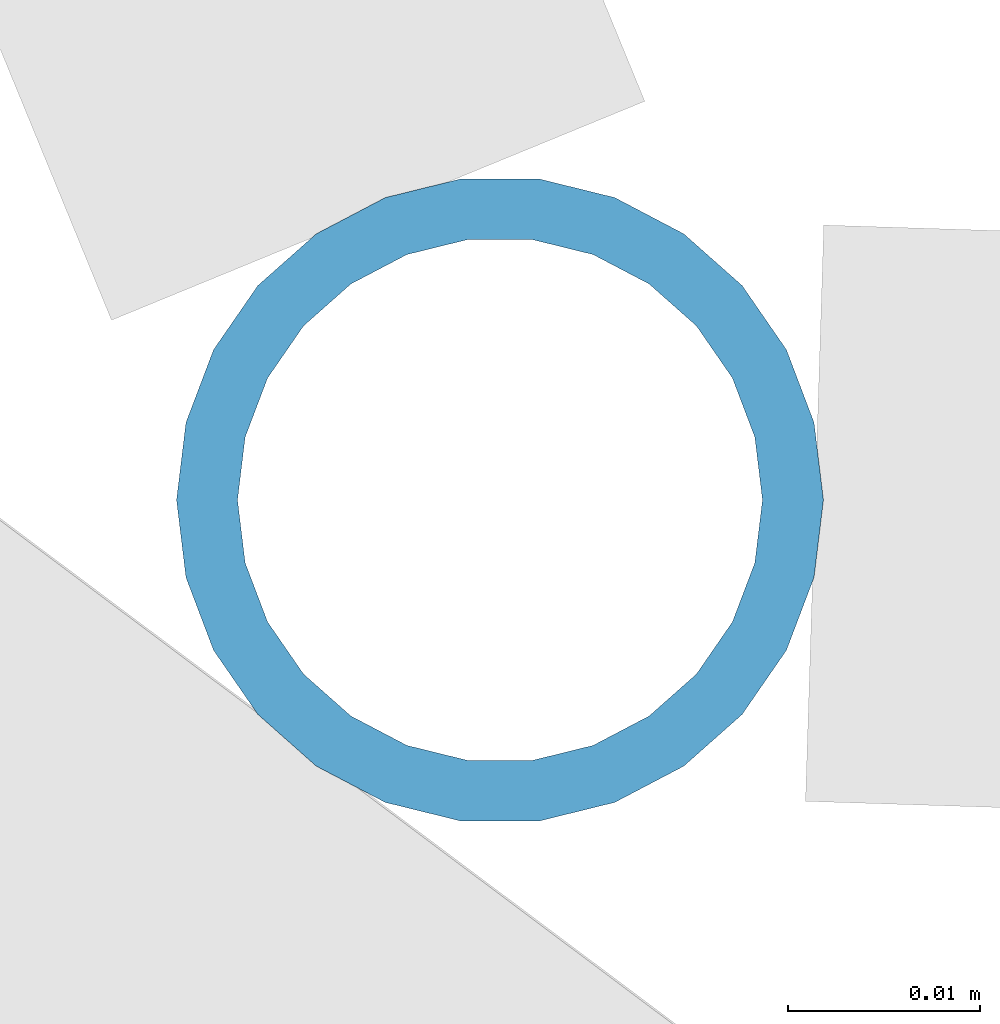
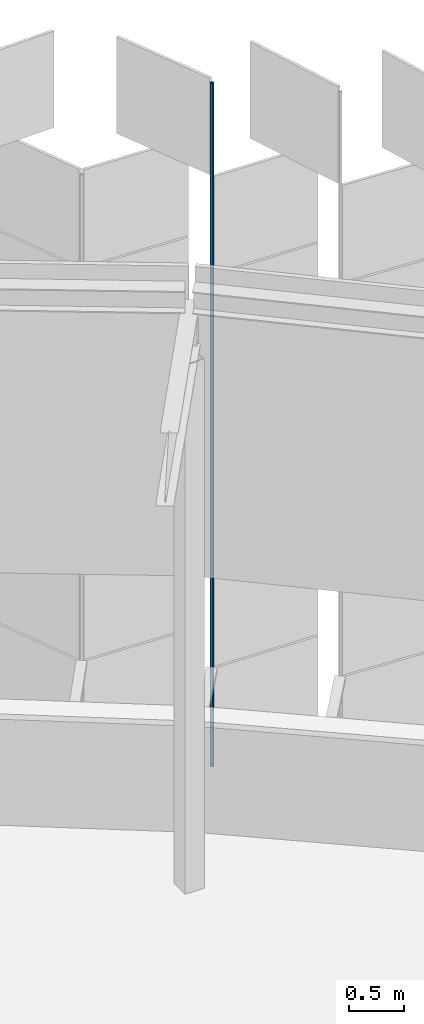
# One storey, part 412 of 483: 1 discrete accessory.
"""IFC4 building model written with IfcOpenShell, lengths in metres."""

from ifc_helpers import new_model, si_unit, direction, frame, origin, origin_2d, place, context, subcontext, project, spatial, hollow_circle, extrude, material, material_profile, profile_set, type_object, element, save


model = new_model("IFC4")

# Units and contexts
model_context = context("Model", 3, precision=1e-05, world=origin(), true_north=direction((0.0, 1.0)))
body_context = subcontext(model_context, "Body", "Model", "MODEL_VIEW")
ifc_project = project(units=[si_unit("LENGTHUNIT", "METRE"), si_unit("AREAUNIT", "SQUARE_METRE"), si_unit("VOLUMEUNIT", "CUBIC_METRE"), si_unit("PLANEANGLEUNIT", "RADIAN"), si_unit("MASSUNIT", "GRAM", prefix="KILO")], contexts=[model_context])

# Site, building, storey
site_placement = place(None, origin())
site = spatial("IfcSite", under=ifc_project, at=site_placement, CompositionType="ELEMENT")
building_placement = place(site_placement, origin())
building = spatial("IfcBuilding", under=site, at=building_placement, Name="Parallax Yard Mobility Hub", CompositionType="ELEMENT")
storey_placement = place(building_placement, frame((0.0, 0.0, 13.199951171875)))
storey = spatial("IfcBuildingStorey", under=building, at=storey_placement, Name="L04", CompositionType="ELEMENT", Elevation=13.199951171875)

# Discrete accessory
ifc_material = material(Name="Steel ASTM A500 Gr C, hot-dip galvanised", Category="steel")
ifc_material_profile = material_profile(ifc_material, hollow_circle(Radius=0.016845703125, WallThickness=0.003173828125, at=origin_2d()), Name="CHS 33.7x3.2")
ifc_profile_set = profile_set([ifc_material_profile], Name="Steel ASTM A500 Gr C, hot-dip galvanised")
discrete_accessory_type = type_object("IfcDiscreteAccessoryType", Name="Hinge post CHS 33.7x3.2", PredefinedType="BRACKET", material=ifc_profile_set)
discrete_accessory_placement = place(storey_placement, frame((203.84912109375, 133.135498046875, 0.0), z_axis=(0.0, 0.0, 1.0), x_axis=(1.0, 0.0, 0.0)))
element("IfcDiscreteAccessory", 1, at=discrete_accessory_placement, inside=storey, type_object=discrete_accessory_type, Name="Hinge post bay 47.1 level L04", PredefinedType="BRACKET", context=body_context, shape_type="SweptSolid", body=[
    extrude(hollow_circle(Radius=0.016845703125, WallThickness=0.003173828125, at=origin_2d()), origin(), (0.0, 0.0, 1.0), 7.650146484375),
])

save(model, "model.ifc")
